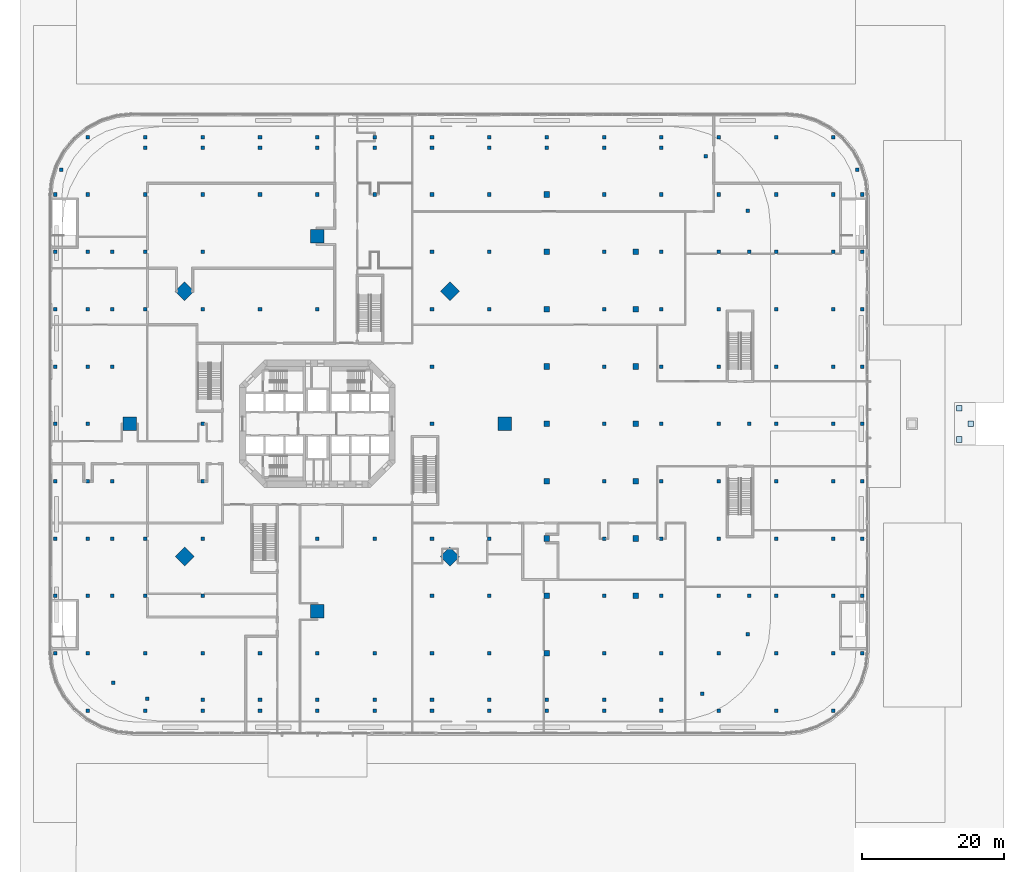
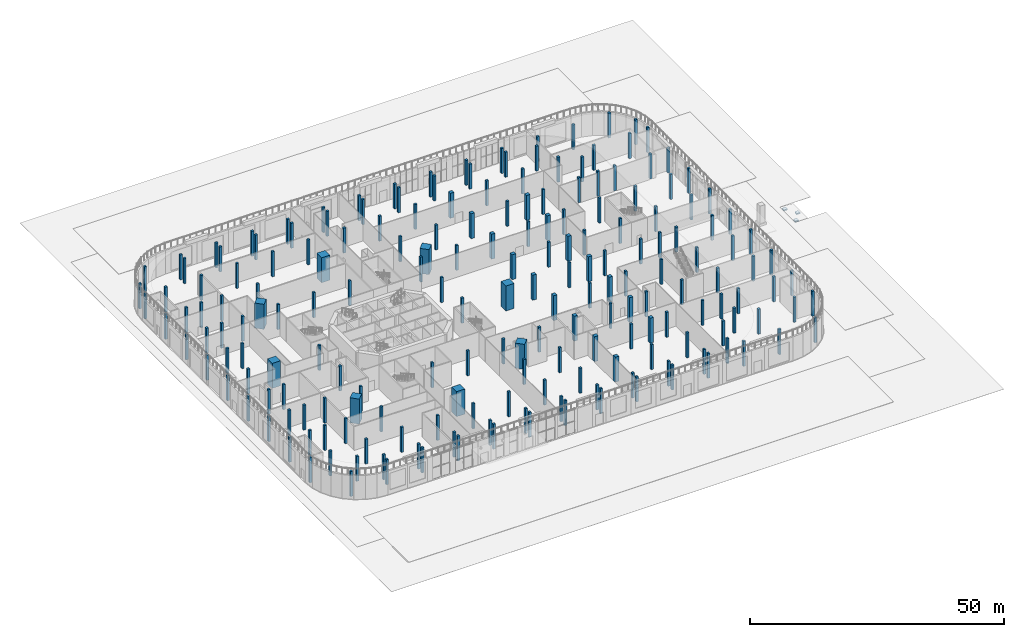
# One storey, part 1 of 32: 198 columns, 3 footings.
"""IFC4 building model written with IfcOpenShell, lengths in metres."""

from ifc_helpers import new_model, si_unit, direction, frame, origin, origin_2d, place, context, subcontext, project, spatial, polyline, rectangle, outline, extrude, material, material_profile, profile_set, type_object, element, save


model = new_model("IFC4")

# Units and contexts
model_context = context("Model", 3, precision=1e-05, world=origin(), true_north=direction((0.0, 1.0)))
body_context = subcontext(model_context, "Body", "Model", "MODEL_VIEW")
ifc_project = project(units=[si_unit("LENGTHUNIT", "METRE"), si_unit("AREAUNIT", "SQUARE_METRE"), si_unit("VOLUMEUNIT", "CUBIC_METRE"), si_unit("PLANEANGLEUNIT", "RADIAN"), si_unit("MASSUNIT", "GRAM", prefix="KILO")], contexts=[model_context])

# Site, building, storey
site_placement = place(None, origin())
site = spatial("IfcSite", under=ifc_project, at=site_placement, CompositionType="ELEMENT")
building_placement = place(site_placement, origin())
building = spatial("IfcBuilding", under=site, at=building_placement, Name="Torre Triforio", CompositionType="ELEMENT")
storey_placement = place(building_placement, origin())
storey = spatial("IfcBuildingStorey", under=building, at=storey_placement, Name="L00", CompositionType="ELEMENT", Elevation=0.0)

# Footings
ifc_material_1 = material(Name="Concrete C40", Category="concrete")
footing_type = type_object("IfcFootingType", Name="Apron bearing pad 800", PredefinedType="PAD_FOOTING", material=ifc_material_1)
footing_1_placement = place(storey_placement, frame((0.0, 0.0, -0.364990234375)))
element("IfcFooting", 1, at=footing_1_placement, inside=storey, type_object=footing_type, Name="Apron bearing pad 1", PredefinedType="PAD_FOOTING", context=body_context, shape_type="SweptSolid", body=[
    extrude(outline(polyline([(90.300048828125, -2.60009765625), (91.10009765625, -2.60009765625), (91.10009765625, -1.800048828125), (90.300048828125, -1.800048828125), (90.300048828125, -2.60009765625)])), origin(), (0.0, 0.0, 1.0), 0.300048828125),
])
footing_2_placement = place(storey_placement, frame((0.0, 0.0, -0.364990234375)))
element("IfcFooting", 2, at=footing_2_placement, inside=storey, type_object=footing_type, Name="Apron bearing pad 2", PredefinedType="PAD_FOOTING", context=body_context, shape_type="SweptSolid", body=[
    extrude(outline(polyline([(90.300048828125, 1.800048828125), (91.10009765625, 1.800048828125), (91.10009765625, 2.60009765625), (90.300048828125, 2.60009765625), (90.300048828125, 1.800048828125)])), origin(), (0.0, 0.0, 1.0), 0.300048828125),
])
footing_3_placement = place(storey_placement, frame((0.0, 0.0, -0.445068359375)))
element("IfcFooting", 3, at=footing_3_placement, inside=storey, type_object=footing_type, Name="Apron bearing pad 3", PredefinedType="PAD_FOOTING", context=body_context, shape_type="SweptSolid", body=[
    extrude(outline(polyline([(91.89990234375, -0.39990234375), (92.699951171875, -0.39990234375), (92.699951171875, 0.39990234375), (91.89990234375, 0.39990234375), (91.89990234375, -0.39990234375)])), origin(), (0.0, 0.0, 1.0), 0.300048828125),
])

# Columns
ifc_material_2 = material(Name="Concrete C50", Category="concrete")
ifc_material_profile_1 = material_profile(ifc_material_2, rectangle(XDim=0.5, YDim=0.5, at=origin_2d()), Name="RC 500x500")
ifc_profile_set_1 = profile_set([ifc_material_profile_1], Name="Concrete C50")
column_type_1 = type_object("IfcColumnType", Name="Column RC 500x500 C50", PredefinedType="COLUMN", material=ifc_profile_set_1)
for number, where, z_axis, x_axis, name in (
    (4, (-32.39990234375, -40.5, 0.0), (0.0, 0.0, 1.0), (1.0, 0.0, 0.0), "COL.G.L00.2-C"),
    (5, (-32.39990234375, -32.39990234375, 0.0), (0.0, 0.0, 1.0), (1.0, 0.0, 0.0), "COL.G.L00.2-D"),
    (6, (-32.39990234375, -24.300048828125, 0.0), (0.0, 0.0, 1.0), (1.0, 0.0, 0.0), "COL.G.L00.2-E"),
    (7, (-32.39990234375, -16.199951171875, 0.0), (0.0, 0.0, 1.0), (1.0, 0.0, 0.0), "COL.G.L00.2-F"),
    (8, (-32.39990234375, -8.10009765625, 0.0), (0.0, 0.0, 1.0), (1.0, 0.0, 0.0), "COL.G.L00.2-G"),
    (9, (-32.39990234375, 0.0, 0.0), (0.0, 0.0, 1.0), (1.0, 0.0, 0.0), "COL.G.L00.2-H"),
    (10, (-32.39990234375, 8.10009765625, 0.0), (0.0, 0.0, 1.0), (1.0, 0.0, 0.0), "COL.G.L00.2-I"),
    (11, (-32.39990234375, 16.199951171875, 0.0), (0.0, 0.0, 1.0), (1.0, 0.0, 0.0), "COL.G.L00.2-J"),
    (12, (-32.39990234375, 24.300048828125, 0.0), (0.0, 0.0, 1.0), (1.0, 0.0, 0.0), "COL.G.L00.2-K"),
    (13, (-32.39990234375, 32.39990234375, 0.0), (0.0, 0.0, 1.0), (1.0, 0.0, 0.0), "COL.G.L00.2-L"),
    (14, (-32.39990234375, 40.5, 0.0), (0.0, 0.0, 1.0), (1.0, 0.0, 0.0), "COL.G.L00.2-M"),
    (15, (-24.300048828125, -40.5, 0.0), (0.0, 0.0, 1.0), (1.0, 0.0, 0.0), "COL.G.L00.3-C"),
    (16, (-24.300048828125, -32.39990234375, 0.0), (0.0, 0.0, 1.0), (1.0, 0.0, 0.0), "COL.G.L00.3-D"),
    (17, (-24.300048828125, -24.300048828125, 0.0), (0.0, 0.0, 1.0), (1.0, 0.0, 0.0), "COL.G.L00.3-E"),
    (18, (-24.300048828125, -16.199951171875, 0.0), (0.0, 0.0, 1.0), (1.0, 0.0, 0.0), "COL.G.L00.3-F"),
    (19, (-24.300048828125, 16.199951171875, 0.0), (0.0, 0.0, 1.0), (1.0, 0.0, 0.0), "COL.G.L00.3-J"),
    (20, (-24.300048828125, 24.300048828125, 0.0), (0.0, 0.0, 1.0), (1.0, 0.0, 0.0), "COL.G.L00.3-K"),
    (21, (-24.300048828125, 32.39990234375, 0.0), (0.0, 0.0, 1.0), (1.0, 0.0, 0.0), "COL.G.L00.3-L"),
    (22, (-24.300048828125, 40.5, 0.0), (0.0, 0.0, 1.0), (1.0, 0.0, 0.0), "COL.G.L00.3-M"),
    (23, (-16.199951171875, -40.5, 0.0), (0.0, 0.0, 1.0), (1.0, 0.0, 0.0), "COL.G.L00.4-C"),
    (24, (-16.199951171875, -32.39990234375, 0.0), (0.0, 0.0, 1.0), (1.0, 0.0, 0.0), "COL.G.L00.4-D"),
    (25, (-16.199951171875, -24.300048828125, 0.0), (0.0, 0.0, 1.0), (1.0, 0.0, 0.0), "COL.G.L00.4-E"),
    (26, (-16.199951171875, -16.199951171875, 0.0), (0.0, 0.0, 1.0), (1.0, 0.0, 0.0), "COL.G.L00.4-F"),
    (27, (-16.199951171875, -8.10009765625, 0.0), (0.0, 0.0, 1.0), (1.0, 0.0, 0.0), "COL.G.L00.4-G"),
    (28, (-16.199951171875, 0.0, 0.0), (0.0, 0.0, 1.0), (1.0, 0.0, 0.0), "COL.G.L00.4-H"),
    (29, (-16.199951171875, 16.199951171875, 0.0), (0.0, 0.0, 1.0), (1.0, 0.0, 0.0), "COL.G.L00.4-J"),
    (30, (-16.199951171875, 24.300048828125, 0.0), (0.0, 0.0, 1.0), (1.0, 0.0, 0.0), "COL.G.L00.4-K"),
    (31, (-16.199951171875, 32.39990234375, 0.0), (0.0, 0.0, 1.0), (1.0, 0.0, 0.0), "COL.G.L00.4-L"),
    (32, (-16.199951171875, 40.5, 0.0), (0.0, 0.0, 1.0), (1.0, 0.0, 0.0), "COL.G.L00.4-M"),
    (33, (-8.10009765625, -40.5, 0.0), (0.0, 0.0, 1.0), (1.0, 0.0, 0.0), "COL.G.L00.5-C"),
    (34, (-8.10009765625, -32.39990234375, 0.0), (0.0, 0.0, 1.0), (1.0, 0.0, 0.0), "COL.G.L00.5-D"),
    (35, (-8.10009765625, 16.199951171875, 0.0), (0.0, 0.0, 1.0), (1.0, 0.0, 0.0), "COL.G.L00.5-J"),
    (36, (-8.10009765625, 32.39990234375, 0.0), (0.0, 0.0, 1.0), (1.0, 0.0, 0.0), "COL.G.L00.5-L"),
    (37, (-8.10009765625, 40.5, 0.0), (0.0, 0.0, 1.0), (1.0, 0.0, 0.0), "COL.G.L00.5-M"),
    (38, (0.0, -40.5, 0.0), (0.0, 0.0, 1.0), (1.0, 0.0, 0.0), "COL.G.L00.6-C"),
    (39, (0.0, -32.39990234375, 0.0), (0.0, 0.0, 1.0), (1.0, 0.0, 0.0), "COL.G.L00.6-D"),
    (40, (0.0, -16.199951171875, 0.0), (0.0, 0.0, 1.0), (1.0, 0.0, 0.0), "COL.G.L00.6-F"),
    (41, (0.0, 16.199951171875, 0.0), (0.0, 0.0, 1.0), (1.0, 0.0, 0.0), "COL.G.L00.6-J"),
    (42, (0.0, 32.39990234375, 0.0), (0.0, 0.0, 1.0), (1.0, 0.0, 0.0), "COL.G.L00.6-L"),
    (43, (0.0, 40.5, 0.0), (0.0, 0.0, 1.0), (1.0, 0.0, 0.0), "COL.G.L00.6-M"),
    (44, (8.10009765625, -40.5, 0.0), (0.0, 0.0, 1.0), (1.0, 0.0, 0.0), "COL.G.L00.7-C"),
    (45, (8.10009765625, -32.39990234375, 0.0), (0.0, 0.0, 1.0), (1.0, 0.0, 0.0), "COL.G.L00.7-D"),
    (46, (8.10009765625, -16.199951171875, 0.0), (0.0, 0.0, 1.0), (1.0, 0.0, 0.0), "COL.G.L00.7-F"),
    (47, (8.10009765625, 32.39990234375, 0.0), (0.0, 0.0, 1.0), (1.0, 0.0, 0.0), "COL.G.L00.7-L"),
    (48, (8.10009765625, 40.5, 0.0), (0.0, 0.0, 1.0), (1.0, 0.0, 0.0), "COL.G.L00.7-M"),
    (49, (16.199951171875, -40.5, 0.0), (0.0, 0.0, 1.0), (1.0, 0.0, 0.0), "COL.G.L00.8-C"),
    (50, (16.199951171875, -32.39990234375, 0.0), (0.0, 0.0, 1.0), (1.0, 0.0, 0.0), "COL.G.L00.8-D"),
    (51, (16.199951171875, -24.300048828125, 0.0), (0.0, 0.0, 1.0), (1.0, 0.0, 0.0), "COL.G.L00.8-E"),
    (52, (16.199951171875, -16.199951171875, 0.0), (0.0, 0.0, 1.0), (1.0, 0.0, 0.0), "COL.G.L00.8-F"),
    (53, (16.199951171875, 0.0, 0.0), (0.0, 0.0, 1.0), (1.0, 0.0, 0.0), "COL.G.L00.8-H"),
    (54, (16.199951171875, 8.10009765625, 0.0), (0.0, 0.0, 1.0), (1.0, 0.0, 0.0), "COL.G.L00.8-I"),
    (55, (16.199951171875, 16.199951171875, 0.0), (0.0, 0.0, 1.0), (1.0, 0.0, 0.0), "COL.G.L00.8-J"),
    (56, (16.199951171875, 24.300048828125, 0.0), (0.0, 0.0, 1.0), (1.0, 0.0, 0.0), "COL.G.L00.8-K"),
    (57, (16.199951171875, 32.39990234375, 0.0), (0.0, 0.0, 1.0), (1.0, 0.0, 0.0), "COL.G.L00.8-L"),
    (58, (16.199951171875, 40.5, 0.0), (0.0, 0.0, 1.0), (1.0, 0.0, 0.0), "COL.G.L00.8-M"),
    (59, (24.300048828125, -40.5, 0.0), (0.0, 0.0, 1.0), (1.0, 0.0, 0.0), "COL.G.L00.9-C"),
    (60, (24.300048828125, -32.39990234375, 0.0), (0.0, 0.0, 1.0), (1.0, 0.0, 0.0), "COL.G.L00.9-D"),
    (61, (24.300048828125, -24.300048828125, 0.0), (0.0, 0.0, 1.0), (1.0, 0.0, 0.0), "COL.G.L00.9-E"),
    (62, (24.300048828125, -16.199951171875, 0.0), (0.0, 0.0, 1.0), (1.0, 0.0, 0.0), "COL.G.L00.9-F"),
    (63, (24.300048828125, 16.199951171875, 0.0), (0.0, 0.0, 1.0), (1.0, 0.0, 0.0), "COL.G.L00.9-J"),
    (64, (24.300048828125, 24.300048828125, 0.0), (0.0, 0.0, 1.0), (1.0, 0.0, 0.0), "COL.G.L00.9-K"),
    (65, (24.300048828125, 32.39990234375, 0.0), (0.0, 0.0, 1.0), (1.0, 0.0, 0.0), "COL.G.L00.9-L"),
    (66, (24.300048828125, 40.5, 0.0), (0.0, 0.0, 1.0), (1.0, 0.0, 0.0), "COL.G.L00.9-M"),
    (67, (32.39990234375, -40.5, 0.0), (0.0, 0.0, 1.0), (1.0, 0.0, 0.0), "COL.G.L00.10-C"),
    (68, (32.39990234375, 40.5, 0.0), (0.0, 0.0, 1.0), (1.0, 0.0, 0.0), "COL.G.L00.10-M"),
    (69, (40.5, -40.5, 0.0), (0.0, 0.0, 1.0), (1.0, 0.0, 0.0), "COL.G.L00.11-C"),
    (70, (40.5, -32.39990234375, 0.0), (0.0, 0.0, 1.0), (1.0, 0.0, 0.0), "COL.G.L00.11-D"),
    (71, (40.5, -24.300048828125, 0.0), (0.0, 0.0, 1.0), (1.0, 0.0, 0.0), "COL.G.L00.11-E"),
    (72, (40.5, -16.199951171875, 0.0), (0.0, 0.0, 1.0), (1.0, 0.0, 0.0), "COL.G.L00.11-F"),
    (73, (40.5, -8.10009765625, 0.0), (0.0, 0.0, 1.0), (1.0, 0.0, 0.0), "COL.G.L00.11-G"),
    (74, (40.5, 0.0, 0.0), (0.0, 0.0, 1.0), (1.0, 0.0, 0.0), "COL.G.L00.11-H"),
    (75, (40.5, 8.10009765625, 0.0), (0.0, 0.0, 1.0), (1.0, 0.0, 0.0), "COL.G.L00.11-I"),
    (76, (40.5, 16.199951171875, 0.0), (0.0, 0.0, 1.0), (1.0, 0.0, 0.0), "COL.G.L00.11-J"),
    (77, (40.5, 24.300048828125, 0.0), (0.0, 0.0, 1.0), (1.0, 0.0, 0.0), "COL.G.L00.11-K"),
    (78, (40.5, 32.39990234375, 0.0), (0.0, 0.0, 1.0), (1.0, 0.0, 0.0), "COL.G.L00.11-L"),
    (79, (40.5, 40.5, 0.0), (0.0, 0.0, 1.0), (1.0, 0.0, 0.0), "COL.G.L00.11-M"),
    (80, (48.60009765625, -40.5, 0.0), (0.0, 0.0, 1.0), (1.0, 0.0, 0.0), "COL.G.L00.12-C"),
    (81, (48.60009765625, -32.39990234375, 0.0), (0.0, 0.0, 1.0), (1.0, 0.0, 0.0), "COL.G.L00.12-D"),
    (82, (48.60009765625, -24.300048828125, 0.0), (0.0, 0.0, 1.0), (1.0, 0.0, 0.0), "COL.G.L00.12-E"),
    (83, (48.60009765625, -16.199951171875, 0.0), (0.0, 0.0, 1.0), (1.0, 0.0, 0.0), "COL.G.L00.12-F"),
    (84, (48.60009765625, -8.10009765625, 0.0), (0.0, 0.0, 1.0), (1.0, 0.0, 0.0), "COL.G.L00.12-G"),
    (85, (48.60009765625, 0.0, 0.0), (0.0, 0.0, 1.0), (1.0, 0.0, 0.0), "COL.G.L00.12-H"),
    (86, (48.60009765625, 8.10009765625, 0.0), (0.0, 0.0, 1.0), (1.0, 0.0, 0.0), "COL.G.L00.12-I"),
    (87, (48.60009765625, 16.199951171875, 0.0), (0.0, 0.0, 1.0), (1.0, 0.0, 0.0), "COL.G.L00.12-J"),
    (88, (48.60009765625, 24.300048828125, 0.0), (0.0, 0.0, 1.0), (1.0, 0.0, 0.0), "COL.G.L00.12-K"),
    (89, (48.60009765625, 32.39990234375, 0.0), (0.0, 0.0, 1.0), (1.0, 0.0, 0.0), "COL.G.L00.12-L"),
    (90, (48.60009765625, 40.5, 0.0), (0.0, 0.0, 1.0), (1.0, 0.0, 0.0), "COL.G.L00.12-M"),
    (91, (56.699951171875, -40.5, 0.0), (0.0, 0.0, 1.0), (1.0, 0.0, 0.0), "COL.G.L00.13-C"),
    (92, (56.699951171875, -32.39990234375, 0.0), (0.0, 0.0, 1.0), (1.0, 0.0, 0.0), "COL.G.L00.13-D"),
    (93, (56.699951171875, -24.300048828125, 0.0), (0.0, 0.0, 1.0), (1.0, 0.0, 0.0), "COL.G.L00.13-E"),
    (94, (56.699951171875, -16.199951171875, 0.0), (0.0, 0.0, 1.0), (1.0, 0.0, 0.0), "COL.G.L00.13-F"),
    (95, (56.699951171875, -8.10009765625, 0.0), (0.0, 0.0, 1.0), (1.0, 0.0, 0.0), "COL.G.L00.13-G"),
    (96, (56.699951171875, 0.0, 0.0), (0.0, 0.0, 1.0), (1.0, 0.0, 0.0), "COL.G.L00.13-H"),
    (97, (56.699951171875, 8.10009765625, 0.0), (0.0, 0.0, 1.0), (1.0, 0.0, 0.0), "COL.G.L00.13-I"),
    (98, (56.699951171875, 16.199951171875, 0.0), (0.0, 0.0, 1.0), (1.0, 0.0, 0.0), "COL.G.L00.13-J"),
    (99, (56.699951171875, 24.300048828125, 0.0), (0.0, 0.0, 1.0), (1.0, 0.0, 0.0), "COL.G.L00.13-K"),
    (100, (56.699951171875, 32.39990234375, 0.0), (0.0, 0.0, 1.0), (1.0, 0.0, 0.0), "COL.G.L00.13-L"),
    (101, (56.699951171875, 40.5, 0.0), (0.0, 0.0, 1.0), (1.0, 0.0, 0.0), "COL.G.L00.13-M"),
    (102, (64.800048828125, -40.5, 0.0), (0.0, 0.0, 1.0), (1.0, 0.0, 0.0), "COL.G.L00.14-C"),
    (103, (64.800048828125, -32.39990234375, 0.0), (0.0, 0.0, 1.0), (1.0, 0.0, 0.0), "COL.G.L00.14-D"),
    (104, (64.800048828125, -24.300048828125, 0.0), (0.0, 0.0, 1.0), (1.0, 0.0, 0.0), "COL.G.L00.14-E"),
    (105, (64.800048828125, -16.199951171875, 0.0), (0.0, 0.0, 1.0), (1.0, 0.0, 0.0), "COL.G.L00.14-F"),
    (106, (64.800048828125, -8.10009765625, 0.0), (0.0, 0.0, 1.0), (1.0, 0.0, 0.0), "COL.G.L00.14-G"),
    (107, (64.800048828125, 0.0, 0.0), (0.0, 0.0, 1.0), (1.0, 0.0, 0.0), "COL.G.L00.14-H"),
    (108, (64.800048828125, 8.10009765625, 0.0), (0.0, 0.0, 1.0), (1.0, 0.0, 0.0), "COL.G.L00.14-I"),
    (109, (64.800048828125, 16.199951171875, 0.0), (0.0, 0.0, 1.0), (1.0, 0.0, 0.0), "COL.G.L00.14-J"),
    (110, (64.800048828125, 24.300048828125, 0.0), (0.0, 0.0, 1.0), (1.0, 0.0, 0.0), "COL.G.L00.14-K"),
    (111, (64.800048828125, 32.39990234375, 0.0), (0.0, 0.0, 1.0), (1.0, 0.0, 0.0), "COL.G.L00.14-L"),
    (112, (64.800048828125, 40.5, 0.0), (0.0, 0.0, 1.0), (1.0, 0.0, 0.0), "COL.G.L00.14-M"),
    (113, (72.89990234375, -40.5, 0.0), (0.0, 0.0, 1.0), (1.0, 0.0, 0.0), "COL.G.L00.15-C"),
    (114, (72.89990234375, -32.39990234375, 0.0), (0.0, 0.0, 1.0), (1.0, 0.0, 0.0), "COL.G.L00.15-D"),
    (115, (72.89990234375, -24.300048828125, 0.0), (0.0, 0.0, 1.0), (1.0, 0.0, 0.0), "COL.G.L00.15-E"),
    (116, (72.89990234375, -16.199951171875, 0.0), (0.0, 0.0, 1.0), (1.0, 0.0, 0.0), "COL.G.L00.15-F"),
    (117, (72.89990234375, -8.10009765625, 0.0), (0.0, 0.0, 1.0), (1.0, 0.0, 0.0), "COL.G.L00.15-G"),
    (118, (72.89990234375, 0.0, 0.0), (0.0, 0.0, 1.0), (1.0, 0.0, 0.0), "COL.G.L00.15-H"),
    (119, (72.89990234375, 8.10009765625, 0.0), (0.0, 0.0, 1.0), (1.0, 0.0, 0.0), "COL.G.L00.15-I"),
    (120, (72.89990234375, 16.199951171875, 0.0), (0.0, 0.0, 1.0), (1.0, 0.0, 0.0), "COL.G.L00.15-J"),
    (121, (72.89990234375, 24.300048828125, 0.0), (0.0, 0.0, 1.0), (1.0, 0.0, 0.0), "COL.G.L00.15-K"),
    (122, (72.89990234375, 32.39990234375, 0.0), (0.0, 0.0, 1.0), (1.0, 0.0, 0.0), "COL.G.L00.15-L"),
    (123, (72.89990234375, 40.5, 0.0), (0.0, 0.0, 1.0), (1.0, 0.0, 0.0), "COL.G.L00.15-M"),
    (124, (-29.0, 24.300048828125, 0.0), (0.0, 0.0, 1.0), (1.0, 0.0, 0.0), "COL.E.L00.ED-01"),
    (125, (-29.0, 16.199951171875, 0.0), (0.0, 0.0, 1.0), (1.0, 0.0, 0.0), "COL.E.L00.ED-02"),
    (126, (-29.0, -24.300048828125, 0.0), (0.0, 0.0, 1.0), (1.0, 0.0, 0.0), "COL.E.L00.ED-03"),
    (127, (-29.0, -16.199951171875, 0.0), (0.0, 0.0, 1.0), (1.0, 0.0, 0.0), "COL.E.L00.ED-04"),
    (128, (-29.0, 8.10009765625, 0.0), (0.0, 0.0, 1.0), (1.0, 0.0, 0.0), "COL.E.L00.ED-05"),
    (129, (-29.0, -8.10009765625, 0.0), (0.0, 0.0, 1.0), (1.0, 0.0, 0.0), "COL.E.L00.ED-06"),
    (130, (0.0, -39.0, 0.0), (0.0, 0.0, 1.0), (1.0, 0.0, 0.0), "COL.E.L00.ED-07"),
    (131, (48.60009765625, 39.0, 0.0), (0.0, 0.0, 1.0), (1.0, 0.0, 0.0), "COL.E.L00.ED-08"),
    (132, (-8.10009765625, -39.0, 0.0), (0.0, 0.0, 1.0), (1.0, 0.0, 0.0), "COL.E.L00.ED-09"),
    (133, (40.5, 39.0, 0.0), (0.0, 0.0, 1.0), (1.0, 0.0, 0.0), "COL.E.L00.ED-10"),
    (134, (8.10009765625, -39.0, 0.0), (0.0, 0.0, 1.0), (1.0, 0.0, 0.0), "COL.E.L00.ED-11"),
    (135, (-16.199951171875, -39.0, 0.0), (0.0, 0.0, 1.0), (1.0, 0.0, 0.0), "COL.E.L00.ED-12"),
    (136, (32.39990234375, 39.0, 0.0), (0.0, 0.0, 1.0), (1.0, 0.0, 0.0), "COL.E.L00.ED-13"),
    (137, (-24.300048828125, 39.0, 0.0), (0.0, 0.0, 1.0), (1.0, 0.0, 0.0), "COL.E.L00.ED-14"),
    (138, (16.199951171875, -39.0, 0.0), (0.0, 0.0, 1.0), (1.0, 0.0, 0.0), "COL.E.L00.ED-15"),
    (139, (24.300048828125, 39.0, 0.0), (0.0, 0.0, 1.0), (1.0, 0.0, 0.0), "COL.E.L00.ED-16"),
    (140, (-16.199951171875, 39.0, 0.0), (0.0, 0.0, 1.0), (1.0, 0.0, 0.0), "COL.E.L00.ED-17"),
    (141, (24.300048828125, -39.0, 0.0), (0.0, 0.0, 1.0), (1.0, 0.0, 0.0), "COL.E.L00.ED-18"),
    (142, (16.199951171875, 39.0, 0.0), (0.0, 0.0, 1.0), (1.0, 0.0, 0.0), "COL.E.L00.ED-19"),
    (143, (-8.10009765625, 39.0, 0.0), (0.0, 0.0, 1.0), (1.0, 0.0, 0.0), "COL.E.L00.ED-20"),
    (144, (48.60009765625, -39.0, 0.0), (0.0, 0.0, 1.0), (1.0, 0.0, 0.0), "COL.E.L00.ED-21"),
    (145, (32.39990234375, -39.0, 0.0), (0.0, 0.0, 1.0), (1.0, 0.0, 0.0), "COL.E.L00.ED-22"),
    (146, (8.10009765625, 39.0, 0.0), (0.0, 0.0, 1.0), (1.0, 0.0, 0.0), "COL.E.L00.ED-23"),
    (147, (0.0, 39.0, 0.0), (0.0, 0.0, 1.0), (1.0, 0.0, 0.0), "COL.E.L00.ED-24"),
    (148, (40.5, -39.0, 0.0), (0.0, 0.0, 1.0), (1.0, 0.0, 0.0), "COL.E.L00.ED-25"),
    (149, (-24.0, -38.800048828125, 0.0), (0.0, 0.0, 1.0), (1.0, 0.0, 0.0), "COL.E.L00.ED-26"),
    (150, (61.0, 24.300048828125, 0.0), (0.0, 0.0, 1.0), (1.0, 0.0, 0.0), "COL.E.L00.ED-27"),
    (151, (61.0, 0.0, 0.0), (0.0, 0.0, 1.0), (1.0, 0.0, 0.0), "COL.E.L00.ED-28"),
    (152, (54.89990234375, 37.800048828125, 0.0), (0.0, 0.0, 1.0), (1.0, 0.0, 0.0), "COL.E.L00.ED-29"),
    (153, (61.0, -24.300048828125, 0.0), (0.0, 0.0, 1.0), (1.0, 0.0, 0.0), "COL.E.L00.ED-30"),
    (154, (54.39990234375, -38.10009765625, 0.0), (0.0, 0.0, 1.0), (1.0, 0.0, 0.0), "COL.E.L00.ED-31"),
    (155, (-28.800048828125, -36.60009765625, 0.0), (0.0, 0.0, 1.0), (1.0, 0.0, 0.0), "COL.E.L00.ED-32"),
    (156, (60.800048828125, -29.699951171875, 0.0), (0.0, 0.0, 1.0), (1.0, 0.0, 0.0), "COL.E.L00.ED-33"),
    (157, (60.800048828125, 30.10009765625, 0.0), (0.0, 0.0, 1.0), (1.0, 0.0, 0.0), "COL.E.L00.ED-34"),
    (158, (-37.0, 24.300048828125, 0.0), (0.0, 0.0, 1.0), (1.0, 0.0, 0.0), "COL.E.L00.ED-35"),
    (159, (-37.0, 16.199951171875, 0.0), (0.0, 0.0, 1.0), (1.0, 0.0, 0.0), "COL.E.L00.ED-36"),
    (160, (-37.0, 8.10009765625, 0.0), (0.0, 0.0, 1.0), (1.0, 0.0, 0.0), "COL.E.L00.ED-37"),
    (161, (-37.0, 0.0, 0.0), (0.0, 0.0, 1.0), (1.0, 0.0, 0.0), "COL.E.L00.ED-38"),
    (162, (-37.0, -32.39990234375, 0.0), (0.0, 0.0, 1.0), (1.0, 0.0, 0.0), "COL.E.L00.ED-39"),
    (163, (-37.0, -8.10009765625, 0.0), (0.0, 0.0, 1.0), (1.0, 0.0, 0.0), "COL.E.L00.ED-40"),
    (164, (-37.0, -24.300048828125, 0.0), (0.0, 0.0, 1.0), (1.0, 0.0, 0.0), "COL.E.L00.ED-41"),
    (165, (77.0, 16.199951171875, 0.0), (0.0, 0.0, 1.0), (1.0, 0.0, 0.0), "COL.E.L00.ED-42"),
    (166, (77.0, 24.300048828125, 0.0), (0.0, 0.0, 1.0), (1.0, 0.0, 0.0), "COL.E.L00.ED-43"),
    (167, (77.0, 8.10009765625, 0.0), (0.0, 0.0, 1.0), (1.0, 0.0, 0.0), "COL.E.L00.ED-44"),
    (168, (77.0, 0.0, 0.0), (0.0, 0.0, 1.0), (1.0, 0.0, 0.0), "COL.E.L00.ED-45"),
    (169, (77.0, -8.10009765625, 0.0), (0.0, 0.0, 1.0), (1.0, 0.0, 0.0), "COL.E.L00.ED-46"),
    (170, (77.0, -16.199951171875, 0.0), (0.0, 0.0, 1.0), (1.0, 0.0, 0.0), "COL.E.L00.ED-47"),
    (171, (77.0, -32.39990234375, 0.0), (0.0, 0.0, 1.0), (1.0, 0.0, 0.0), "COL.E.L00.ED-48"),
    (172, (-36.199951171875, 35.89990234375, 0.0), (0.0, 0.0, 1.0), (1.0, 0.0, 0.0), "COL.E.L00.ED-49"),
    (173, (-37.0, 32.39990234375, 0.0), (0.0, 0.0, 1.0), (1.0, 0.0, 0.0), "COL.E.L00.ED-50"),
    (174, (-37.0, -16.199951171875, 0.0), (0.0, 0.0, 1.0), (1.0, 0.0, 0.0), "COL.E.L00.ED-51"),
    (175, (76.300048828125, 35.89990234375, 0.0), (0.0, 0.0, 1.0), (1.0, 0.0, 0.0), "COL.E.L00.ED-52"),
    (176, (77.0, -24.300048828125, 0.0), (0.0, 0.0, 1.0), (1.0, 0.0, 0.0), "COL.E.L00.ED-53"),
    (177, (77.0, 32.39990234375, 0.0), (0.0, 0.0, 1.0), (1.0, 0.0, 0.0), "COL.E.L00.ED-54"),
):
    element("IfcColumn", number, at=place(storey_placement, frame(where, z_axis=z_axis, x_axis=x_axis)), inside=storey, type_object=column_type_1, Name=name, PredefinedType="COLUMN", context=body_context, shape_type="SweptSolid", body=[
        extrude(rectangle(XDim=0.5, YDim=0.5, at=origin_2d()), origin(), (0.0, 0.0, 1.0), 6.0),
    ])
ifc_material_profile_2 = material_profile(ifc_material_2, rectangle(XDim=0.800048828125, YDim=0.800048828125, at=origin_2d()), Name="RC 800x800")
ifc_profile_set_2 = profile_set([ifc_material_profile_2], Name="Concrete C50")
column_type_2 = type_object("IfcColumnType", Name="Column RC 800x800 C50", PredefinedType="COLUMN", material=ifc_profile_set_2)
for number, where, z_axis, x_axis, name in (
    (178, (32.39990234375, -32.39990234375, 0.0), (0.0, 0.0, 1.0), (1.0, 0.0, 0.0), "COL.G.L00.10-D"),
    (179, (32.39990234375, -24.300048828125, 0.0), (0.0, 0.0, 1.0), (1.0, 0.0, 0.0), "COL.G.L00.10-E"),
    (180, (32.39990234375, -16.199951171875, 0.0), (0.0, 0.0, 1.0), (1.0, 0.0, 0.0), "COL.G.L00.10-F"),
    (181, (32.39990234375, -8.10009765625, 0.0), (0.0, 0.0, 1.0), (1.0, 0.0, 0.0), "COL.G.L00.10-G"),
    (182, (32.39990234375, 0.0, 0.0), (0.0, 0.0, 1.0), (1.0, 0.0, 0.0), "COL.G.L00.10-H"),
    (183, (32.39990234375, 8.10009765625, 0.0), (0.0, 0.0, 1.0), (1.0, 0.0, 0.0), "COL.G.L00.10-I"),
    (184, (32.39990234375, 16.199951171875, 0.0), (0.0, 0.0, 1.0), (1.0, 0.0, 0.0), "COL.G.L00.10-J"),
    (185, (32.39990234375, 24.300048828125, 0.0), (0.0, 0.0, 1.0), (1.0, 0.0, 0.0), "COL.G.L00.10-K"),
    (186, (32.39990234375, 32.39990234375, 0.0), (0.0, 0.0, 1.0), (1.0, 0.0, 0.0), "COL.G.L00.10-L"),
    (187, (45.0, -24.300048828125, 0.0), (0.0, 0.0, 1.0), (1.0, 0.0, 0.0), "COL.E.L00.EL-E"),
    (188, (45.0, -16.199951171875, 0.0), (0.0, 0.0, 1.0), (1.0, 0.0, 0.0), "COL.E.L00.EL-F"),
    (189, (45.0, -8.10009765625, 0.0), (0.0, 0.0, 1.0), (1.0, 0.0, 0.0), "COL.E.L00.EL-G"),
    (190, (45.0, 0.0, 0.0), (0.0, 0.0, 1.0), (1.0, 0.0, 0.0), "COL.E.L00.EL-H"),
    (191, (45.0, 8.10009765625, 0.0), (0.0, 0.0, 1.0), (1.0, 0.0, 0.0), "COL.E.L00.EL-I"),
    (192, (45.0, 16.199951171875, 0.0), (0.0, 0.0, 1.0), (1.0, 0.0, 0.0), "COL.E.L00.EL-J"),
    (193, (45.0, 24.300048828125, 0.0), (0.0, 0.0, 1.0), (1.0, 0.0, 0.0), "COL.E.L00.EL-K"),
):
    element("IfcColumn", number, at=place(storey_placement, frame(where, z_axis=z_axis, x_axis=x_axis)), inside=storey, type_object=column_type_2, Name=name, PredefinedType="COLUMN", context=body_context, shape_type="SweptSolid", body=[
        extrude(rectangle(XDim=0.800048828125, YDim=0.800048828125, at=origin_2d()), origin(), (0.0, 0.0, 1.0), 6.0),
    ])
ifc_material_3 = material(Name="Concrete C70", Category="concrete")
ifc_material_profile_3 = material_profile(ifc_material_3, rectangle(XDim=1.89990234375, YDim=1.89990234375, at=origin_2d()), Name="RC 1900x1900")
ifc_profile_set_3 = profile_set([ifc_material_profile_3], Name="Concrete C70")
column_type_3 = type_object("IfcColumnType", Name="Mega column RC 1900x1900 C70", PredefinedType="COLUMN", material=ifc_profile_set_3)
for number, where, z_axis, x_axis, name in (
    (194, (26.5, 0.0, 0.0), (0.0, 0.0, 1.0), (0.0, 1.0, 0.0), "COL.R.L00.00"),
    (195, (18.73828125, 18.73828125, 0.0), (0.0, 0.0, 1.0), (-0.707106781187, 0.707106781187, 0.0), "COL.R.L00.03"),
    (196, (0.0, 26.5, 0.0), (0.0, 0.0, 1.0), (-1.0, 0.0, 0.0), "COL.R.L00.06"),
    (197, (-18.73828125, 18.73828125, 0.0), (0.0, 0.0, 1.0), (-0.707106781187, -0.707106781187, 0.0), "COL.R.L00.09"),
    (198, (-26.5, 0.0, 0.0), (0.0, 0.0, 1.0), (0.0, -1.0, 0.0), "COL.R.L00.12"),
    (199, (-18.73828125, -18.73828125, 0.0), (0.0, 0.0, 1.0), (0.707106781187, -0.707106781187, 0.0), "COL.R.L00.15"),
    (200, (0.0, -26.5, 0.0), (0.0, 0.0, 1.0), (1.0, 0.0, 0.0), "COL.R.L00.18"),
    (201, (18.73828125, -18.73828125, 0.0), (0.0, 0.0, 1.0), (0.707106781187, 0.707106781187, 0.0), "COL.R.L00.21"),
):
    element("IfcColumn", number, at=place(storey_placement, frame(where, z_axis=z_axis, x_axis=x_axis)), inside=storey, type_object=column_type_3, Name=name, PredefinedType="COLUMN", context=body_context, shape_type="SweptSolid", body=[
        extrude(rectangle(XDim=1.89990234375, YDim=1.89990234375, at=origin_2d()), origin(), (0.0, 0.0, 1.0), 6.0),
    ])

save(model, "model.ifc")
